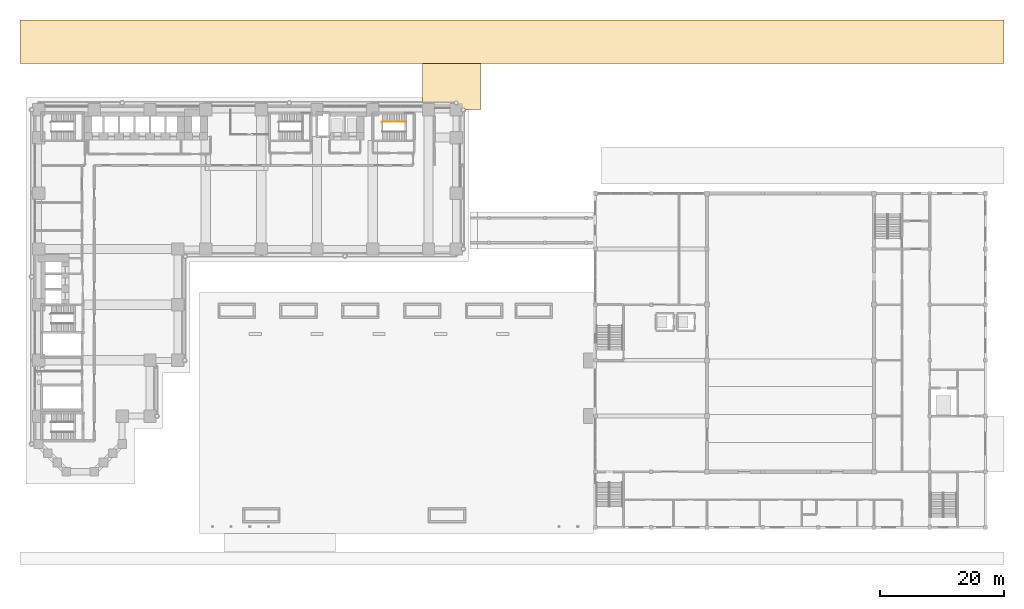
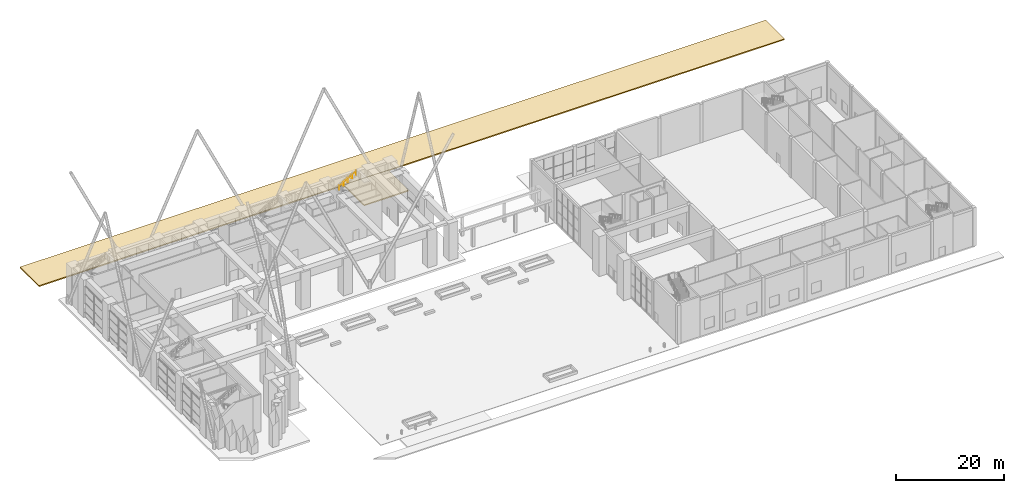
# One storey, part 41 of 44: 2 coverings, 1 railing.
"""IFC4 building model written with IfcOpenShell, lengths in metres."""

from ifc_helpers import new_model, si_unit, direction, frame, origin, origin_2d, place, context, subcontext, project, spatial, polyline, circle, outline, extrude, material, layer, layer_set, type_object, element, save


model = new_model("IFC4")

# Units and contexts
model_context = context("Model", 3, precision=1e-05, world=origin(), true_north=direction((0.0, 1.0)))
body_context = subcontext(model_context, "Body", "Model", "MODEL_VIEW")
ifc_project = project(units=[si_unit("LENGTHUNIT", "METRE"), si_unit("AREAUNIT", "SQUARE_METRE"), si_unit("VOLUMEUNIT", "CUBIC_METRE"), si_unit("PLANEANGLEUNIT", "RADIAN"), si_unit("MASSUNIT", "GRAM", prefix="KILO")], contexts=[model_context])

# Site, building, storey
site_placement = place(None, origin())
site = spatial("IfcSite", under=ifc_project, at=site_placement, CompositionType="ELEMENT")
building_placement = place(site_placement, origin())
building = spatial("IfcBuilding", under=site, at=building_placement, Name="Firuza Court", CompositionType="ELEMENT")
storey_placement = place(building_placement, origin())
storey = spatial("IfcBuildingStorey", under=building, at=storey_placement, Name="L00", CompositionType="ELEMENT", Elevation=0.0)

# Coverings
ifc_material_1 = material(Name="Asphalt paving")
ifc_layer = layer(ifc_material_1, 0.25)
ifc_layer_set = layer_set([ifc_layer], Name="Asphalt paving")
covering_type = type_object("IfcCoveringType", Name="HALL ROAD PAVING 250", PredefinedType="FLOORING", material=ifc_layer_set)
covering_1_placement = place(storey_placement, frame((0.0, 0.0, -0.25)))
element("IfcCovering", 1, at=covering_1_placement, inside=storey, type_object=covering_type, Name="Fire lane and service lane paving", PredefinedType="FLOORING", context=body_context, shape_type="SweptSolid", body=[
    extrude(outline(polyline([(-3.0, 73.0), (156.0, 73.0), (156.0, 66.0), (-3.0, 66.0), (-3.0, 73.0)])), origin(), (0.0, 0.0, 1.0), 0.25),
])
covering_2_placement = place(storey_placement, frame((0.0, 0.0, -0.25)))
element("IfcCovering", 2, at=covering_2_placement, inside=storey, type_object=covering_type, Name="Loading bay apron paving", PredefinedType="FLOORING", context=body_context, shape_type="SweptSolid", body=[
    extrude(outline(polyline([(62.0, 66.0), (71.5, 66.0), (71.5, 58.5), (62.0, 58.5), (62.0, 66.0)])), origin(), (0.0, 0.0, 1.0), 0.25),
])

# Railing
ifc_material_2 = material(Name="Steel S355", Category="steel")
railing_type = type_object("IfcRailingType", Name="Handrail 900", PredefinedType="HANDRAIL", material=ifc_material_2)
railing_placement = place(storey_placement, frame((55.56005859375, 56.550048828125, 6.91064453125)))
element("IfcRailing", 3, at=railing_placement, inside=storey, type_object=railing_type, Name="Handrail S4 flight 4", PredefinedType="HANDRAIL", context=body_context, shape_type="SweptSolid", body=[
    extrude(circle(Radius=0.02490234375, at=origin_2d()), frame((0.0, 0.0, 0.875), z_axis=(0.8672749571, 0.0, 0.497829437445), x_axis=(0.0, 1.0, 0.0)), (0.0, 0.0, 1.0), 4.197021484375),
    extrude(circle(Radius=0.02001953125, at=origin_2d()), origin(), (0.0, 0.0, 1.0), 0.849853515625),
    extrude(circle(Radius=0.02001953125, at=origin_2d()), frame((0.909912109375, 0.0, 0.5224609375)), (0.0, 0.0, 1.0), 0.849853515625),
    extrude(circle(Radius=0.02001953125, at=origin_2d()), frame((1.81982421875, 0.0, 1.044677734375)), (0.0, 0.0, 1.0), 0.849853515625),
    extrude(circle(Radius=0.02001953125, at=origin_2d()), frame((2.72998046875, 0.0, 1.56689453125)), (0.0, 0.0, 1.0), 0.849853515625),
    extrude(circle(Radius=0.02001953125, at=origin_2d()), frame((3.639892578125, 0.0, 2.08935546875)), (0.0, 0.0, 1.0), 0.849853515625),
])

save(model, "model.ifc")
